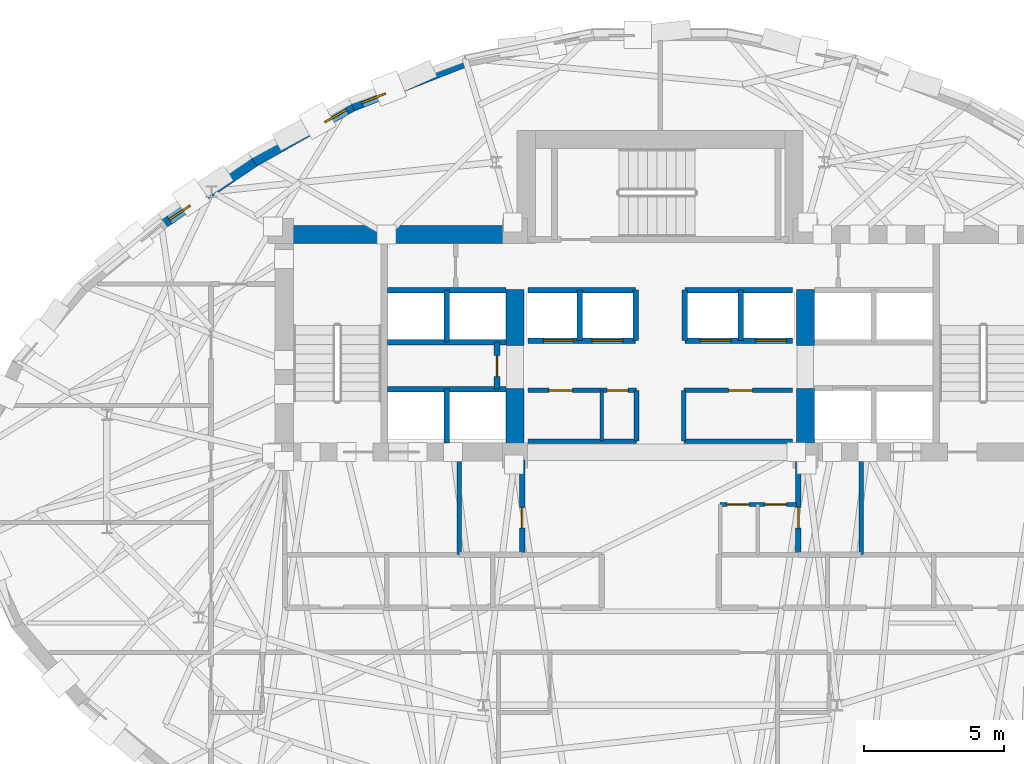
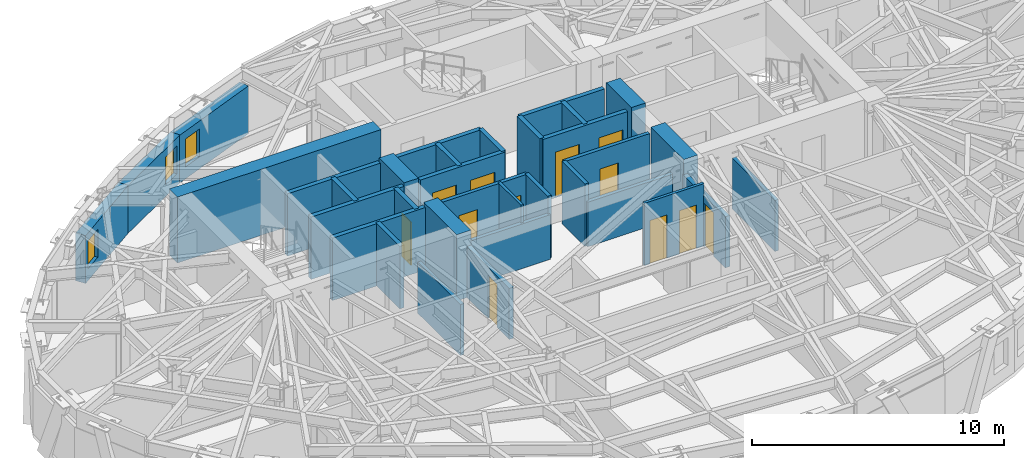
# One storey, part 7 of 14: 34 walls, 12 doors, 3 windows, 15 openings.
"""IFC4 building model written with IfcOpenShell, lengths in metres."""

import ifcopenshell
import ifcopenshell.guid

model = None  # the IFC model being written
_history = None  # IfcOwnerHistory: only IFC2X3 demands one
_inside = {}  # id of a spatial element -> (the spatial element, [elements in it])
_under = {}  # id of a project, library or spatial element -> (it, [spatial elements below it])
_declared = {}  # id of a project -> (the project, [libraries it declares])
_typed = {}  # id of a type object -> (the type object, [elements of that type])
_made_of = {}  # id of a material, layer set ... -> (it, [elements and type objects made of it])


def new_model(schema):
    """Start an empty IFC model of exactly this schema.

    Asked for "IFC4X3", IfcOpenShell would pick the latest addendum, in which some entities
    have other attributes; the version numbers below select the first issue.
    IFC2X3 requires an IfcOwnerHistory on every rooted entity: one is made here for all.
    """
    global model, _history
    if schema == "IFC4X3":
        model = ifcopenshell.file(schema_version=(4, 3, 0, 0))
    else:
        model = ifcopenshell.file(schema=schema)
    _inside.clear()
    _under.clear()
    _declared.clear()
    _typed.clear()
    _made_of.clear()
    _history = None
    if model.schema == "IFC2X3":
        org = make("IfcOrganization", Name="unknown")
        user = make(
            "IfcPersonAndOrganization",
            ThePerson=make("IfcPerson", FamilyName="unknown"),
            TheOrganization=org,
        )
        app = make(
            "IfcApplication",
            ApplicationDeveloper=org,
            Version="unknown",
            ApplicationFullName="unknown",
            ApplicationIdentifier="unknown",
        )
        _history = make(
            "IfcOwnerHistory",
            OwningUser=user,
            OwningApplication=app,
            ChangeAction="ADDED",
            CreationDate=0,
        )
    return model


def make(cls, **values):
    """One entity of the class cls with the attributes given. An attribute that is None is left unset."""
    return model.create_entity(
        cls, **{name: value for name, value in values.items() if value is not None}
    )


def rooted(cls, **values):
    """An entity with a GlobalId (a new one), such as an element, a storey or a relation."""
    return make(cls, GlobalId=ifcopenshell.guid.new(), OwnerHistory=_history, **values)


def si_unit(unit_type, name, prefix=None):
    """IfcSIUnit, for example si_unit("LENGTHUNIT", "METRE", prefix="MILLI")."""
    return make("IfcSIUnit", UnitType=unit_type, Prefix=prefix, Name=name)


def assignment(units):
    """IfcUnitAssignment: the units of a project."""
    return None if units is None else make("IfcUnitAssignment", Units=units)


def point(xyz):
    """IfcCartesianPoint."""
    return None if xyz is None else make("IfcCartesianPoint", Coordinates=xyz)


def direction(xyz):
    """IfcDirection."""
    return None if xyz is None else make("IfcDirection", DirectionRatios=xyz)


def frame(location, z_axis=None, x_axis=None):
    """IfcAxis2Placement3D, a coordinate frame: its origin and axes. An axis left out is left unset."""
    return make(
        "IfcAxis2Placement3D",
        Location=point(location),
        Axis=direction(z_axis),
        RefDirection=direction(x_axis),
    )


def frame_2d(location, x_axis=None):
    """IfcAxis2Placement2D, a coordinate frame in the plane: its origin and x axis."""
    return make(
        "IfcAxis2Placement2D", Location=point(location), RefDirection=direction(x_axis)
    )


def origin():
    """The frame at (0, 0, 0) with its axes left unset."""
    return frame((0.0, 0.0, 0.0))


def place(relative_to, where):
    """IfcLocalPlacement: puts the frame where relative to a parent placement (None: the world)."""
    return make(
        "IfcLocalPlacement", PlacementRelTo=relative_to, RelativePlacement=where
    )


def context(
    kind, dimensions, precision=None, world=None, true_north=None, identifier=None
):
    """IfcGeometricRepresentationContext, for example the 3D "Model" context."""
    return make(
        "IfcGeometricRepresentationContext",
        ContextIdentifier=identifier,
        ContextType=kind,
        CoordinateSpaceDimension=dimensions,
        Precision=precision,
        WorldCoordinateSystem=world,
        TrueNorth=true_north,
    )


def subcontext(parent, identifier, kind, view, scale=None):
    """IfcGeometricRepresentationSubContext, for example "Body" below "Model"."""
    return make(
        "IfcGeometricRepresentationSubContext",
        ContextIdentifier=identifier,
        ContextType=kind,
        ParentContext=parent,
        TargetScale=scale,
        TargetView=view,
    )


def project(units=None, contexts=None):
    """IfcProject with its units and contexts."""
    return rooted(
        "IfcProject",
        Name="project",
        RepresentationContexts=contexts,
        UnitsInContext=assignment(units),
    )


def spatial(cls, under=None, at=None, **own):
    """A site, building, storey or space (cls), placed at a placement, below another one or the project."""
    s = rooted(cls, ObjectPlacement=at, **own)
    if under is not None:
        _under.setdefault(under.id(), (under, []))[1].append(s)
    return s


def profile(cls, at=None, kind="AREA", **sizes):
    """A parametric profile (cls). Its sizes go by their IFC names, for example OverallWidth=200.0."""
    return make(cls, ProfileType=kind, Position=at, **sizes)


def rectangle(**sizes):
    """IfcRectangleProfileDef."""
    return profile("IfcRectangleProfileDef", **sizes)


def extrude(swept, where, along, depth):
    """IfcExtrudedAreaSolid: the profile swept, set in the frame where, extruded along a direction by depth."""
    return make(
        "IfcExtrudedAreaSolid",
        SweptArea=swept,
        Position=where,
        ExtrudedDirection=direction(along),
        Depth=depth,
    )


def shape(context_of_items, identifier, shape_type, items):
    """IfcShapeRepresentation: the items that make up one representation, for example the "Body"."""
    return make(
        "IfcShapeRepresentation",
        ContextOfItems=context_of_items,
        RepresentationIdentifier=identifier,
        RepresentationType=shape_type,
        Items=items,
    )


def material(Name=None, Category=None):
    """IfcMaterial."""
    return make("IfcMaterial", Name=Name, Category=Category)


def layer(
    of_material, thickness, ventilated=None, Name=None, Category=None, Priority=None
):
    """IfcMaterialLayer: one layer of a wall or slab, of a material (None: an air gap)."""
    return make(
        "IfcMaterialLayer",
        Material=of_material,
        LayerThickness=thickness,
        IsVentilated=ventilated,
        Name=Name,
        Category=Category,
        Priority=Priority,
    )


def layer_set(layers, Name=None):
    """IfcMaterialLayerSet."""
    return make("IfcMaterialLayerSet", MaterialLayers=layers, LayerSetName=Name)


def made_of(thing, what):
    """Note that an element or type object is made of a material, layer set ...; save() writes the relation."""
    if what is not None:
        _made_of.setdefault(what.id(), (what, []))[1].append(thing)
    return thing


def type_object(cls, material=None, **own):
    """A type object (cls), such as IfcWallType, which elements share."""
    return made_of(rooted(cls, **own), material)


def element(
    cls,
    number,
    at=None,
    inside=None,
    cuts=None,
    type_object=None,
    material=None,
    context=None,
    identifier="Body",
    shape_type=None,
    held_by="IfcProductDefinitionShape",
    body=None,
    shapes=None,
    **own,
):
    """One element of the class cls, such as IfcWall. Its Tag is "e" and its number.

    at: its placement. inside: the storey or other place that contains it. cuts: it is an
    opening in that element (IfcRelVoidsElement). A single representation is given by context,
    identifier, shape_type and body (its items); several are given by shapes. held_by: the class
    of the entity that holds the representations. save() writes the other relations.
    """
    e = rooted(cls, Tag="e%d" % number, ObjectPlacement=at, **own)
    if body is not None:
        shapes = [shape(context, identifier, shape_type, body)]
    if shapes is not None:
        e.Representation = make(held_by, Representations=shapes)
    if inside is not None:
        _inside.setdefault(inside.id(), (inside, []))[1].append(e)
    if cuts is not None:
        rooted(
            "IfcRelVoidsElement", RelatingBuildingElement=cuts, RelatedOpeningElement=e
        )
    if type_object is not None:
        _typed.setdefault(type_object.id(), (type_object, []))[1].append(e)
    return made_of(e, material)


def fill(opening, filler):
    """IfcRelFillsElement: the door or window that sits in an opening."""
    return rooted(
        "IfcRelFillsElement",
        RelatingOpeningElement=opening,
        RelatedBuildingElement=filler,
    )


def aggregate(whole, parts):
    """IfcRelAggregates: a whole, such as a stair, and the parts it consists of."""
    return rooted("IfcRelAggregates", RelatingObject=whole, RelatedObjects=parts)


def save(model, path):
    """Write the relations noted so far, then the file.

    IfcRelAggregates (storeys below a building ...), IfcRelContainedInSpatialStructure (elements
    in a storey), IfcRelDefinesByType, IfcRelAssociatesMaterial and IfcRelDeclares: one each for
    every whole, place, type object, material and project.
    """
    for whole, parts in _under.values():
        aggregate(whole, parts)
    for where, things in _inside.values():
        rooted(
            "IfcRelContainedInSpatialStructure",
            RelatedElements=things,
            RelatingStructure=where,
        )
    for kind, things in _typed.values():
        rooted("IfcRelDefinesByType", RelatedObjects=things, RelatingType=kind)
    for what, things in _made_of.values():
        rooted("IfcRelAssociatesMaterial", RelatedObjects=things, RelatingMaterial=what)
    for by, libraries in _declared.values():
        rooted("IfcRelDeclares", RelatingContext=by, RelatedDefinitions=libraries)
    model.write(path)


model = new_model("IFC4")

# Units and contexts
model_context = context("Model", 3, precision=1e-05, world=origin(), true_north=direction((0.0, 1.0)))
body_context = subcontext(model_context, "Body", "Model", "MODEL_VIEW")
ifc_project = project(units=[si_unit("LENGTHUNIT", "METRE"), si_unit("AREAUNIT", "SQUARE_METRE"), si_unit("VOLUMEUNIT", "CUBIC_METRE"), si_unit("PLANEANGLEUNIT", "RADIAN"), si_unit("MASSUNIT", "GRAM", prefix="KILO")], contexts=[model_context])

# Site, building, storey
site_placement = place(None, origin())
site = spatial("IfcSite", under=ifc_project, at=site_placement, CompositionType="ELEMENT")
building_placement = place(site_placement, origin())
building = spatial("IfcBuilding", under=site, at=building_placement, Name="Keldmark Tower", CompositionType="ELEMENT")
storey_placement = place(building_placement, frame((0.0, 0.0, 188.60009765625)))
storey = spatial("IfcBuildingStorey", under=building, at=storey_placement, Name="L52", CompositionType="ELEMENT", Elevation=188.60009765625)

# Wall, openings, doors
ifc_material_1 = material(Name="Acoustic Gypsum Board Interior Partition", Category="gypsum")
ifc_layer_1 = layer(ifc_material_1, 0.1298828125)
ifc_layer_set_1 = layer_set([ifc_layer_1], Name="Acoustic Gypsum Board Interior Partition")
wall_type_1 = type_object("IfcWallType", Name="Interior Partition 130 mm", PredefinedType="PARTITIONING", material=ifc_layer_set_1)
wall_1_placement = place(storey_placement, frame((2.14990234375, -0.35009765625, 0.0), z_axis=(0.0, 0.0, 1.0), x_axis=(1.0, 0.0, 0.0)))
wall_1 = element("IfcWall", 1, at=wall_1_placement, inside=storey, type_object=wall_type_1, Name="L52 Interior Partition 130 mm CSC-E-N", PredefinedType="PARTITIONING", context=body_context, shape_type="SweptSolid", body=[
    extrude(rectangle(XDim=2.72998046875, YDim=0.1298828125, at=frame_2d((1.364990234375, 0.0))), origin(), (0.0, 0.0, 1.0), 3.02001953125),
])
opening_1_placement = place(wall_1_placement, frame((0.25, 0.0, 0.0)))
opening_1 = element("IfcOpeningElement", 2, at=opening_1_placement, cuts=wall_1, Name="Opening D-CL078", PredefinedType="OPENING", context=body_context, shape_type="SweptSolid", body=[
    extrude(rectangle(XDim=0.780029296875, YDim=2.10009765625, at=frame_2d((0.39013671875, 1.050048828125))), frame((0.0, 0.074951171875, 0.0), z_axis=(0.0, -1.0, 0.0), x_axis=(1.0, 0.0, 0.0)), (0.0, 0.0, 1.0), 0.14990234375),
])
opening_2_placement = place(wall_1_placement, frame((1.60009765625, 0.0, 0.0)))
opening_2 = element("IfcOpeningElement", 3, at=opening_2_placement, cuts=wall_1, Name="Opening D-CL078", PredefinedType="OPENING", context=body_context, shape_type="SweptSolid", body=[
    extrude(rectangle(XDim=0.780029296875, YDim=2.10009765625, at=frame_2d((0.39013671875, 1.050048828125))), frame((0.0, 0.074951171875, 0.0), z_axis=(0.0, -1.0, 0.0), x_axis=(1.0, 0.0, 0.0)), (0.0, 0.0, 1.0), 0.14990234375),
])
ifc_material_2 = material(Name="Flush Utility Closet Timber Door", Category="wood")
door_type_1 = type_object("IfcDoorType", Name="Closet Door 780x2100", OperationType="NOTDEFINED", PredefinedType="DOOR", material=ifc_material_2)
door_1_placement = place(opening_1_placement, origin())
door_1 = element("IfcDoor", 4, at=door_1_placement, inside=storey, type_object=door_type_1, Name="L52 Closet Door 780x2100 D-CSCE1-L52", OperationType="SINGLE_SWING_RIGHT", OverallHeight=2.10009765625, OverallWidth=0.780029296875, PredefinedType="DOOR", context=body_context, shape_type="SweptSolid", body=[
    extrude(rectangle(XDim=0.780029296875, YDim=2.10009765625, at=frame_2d((0.39013671875, 1.050048828125))), frame((0.0, 0.02490234375, 0.0), z_axis=(0.0, -1.0, 0.0), x_axis=(1.0, 0.0, 0.0)), (0.0, 0.0, 1.0), 0.050048828125),
])
fill(opening_1, door_1)
door_2_placement = place(opening_2_placement, origin())
door_2 = element("IfcDoor", 5, at=door_2_placement, inside=storey, type_object=door_type_1, Name="L52 Closet Door 780x2100 D-CSCE2-L52", OperationType="SINGLE_SWING_RIGHT", OverallHeight=2.10009765625, OverallWidth=0.780029296875, PredefinedType="DOOR", context=body_context, shape_type="SweptSolid", body=[
    extrude(rectangle(XDim=0.780029296875, YDim=2.10009765625, at=frame_2d((0.39013671875, 1.050048828125))), frame((0.0, 0.02490234375, 0.0), z_axis=(0.0, -1.0, 0.0), x_axis=(1.0, 0.0, 0.0)), (0.0, 0.0, 1.0), 0.050048828125),
])
fill(opening_2, door_2)

# Walls
wall_2_placement = place(storey_placement, frame((-2.10009765625, 1.919921875, 0.0), z_axis=(0.0, 0.0, 1.0), x_axis=(0.0, 1.0, 0.0)))
element("IfcWall", 6, at=wall_2_placement, inside=storey, type_object=wall_type_1, Name="L52 Interior Partition 130 mm REC-LW-M", PredefinedType="PARTITIONING", context=body_context, shape_type="SweptSolid", body=[
    extrude(rectangle(XDim=1.820068359375, YDim=0.1298828125, at=frame_2d((0.91015625, 0.0))), origin(), (0.0, 0.0, 1.0), 3.02001953125),
])
ifc_material_3 = material(Name="Type X Fire-Rated Gypsum Partition Assembly", Category="gypsum")
ifc_layer_2 = layer(ifc_material_3, 0.1650390625)
ifc_layer_set_2 = layer_set([ifc_layer_2], Name="Type X Fire-Rated Gypsum Partition Assembly")
wall_type_2 = type_object("IfcWallType", Name="Rated Partition 165 mm", PredefinedType="PARTITIONING", material=ifc_layer_set_2)
for number, where, z_axis, x_axis, name in (
    (7, (-7.199951171875, -2.14990234375, 0.0), (0.0, 0.0, 1.0), (0.0, 1.0, 0.0), "L52 Rated Partition 165 mm FSAE-W-E"),
    (8, (7.199951171875, -2.14990234375, 0.0), (0.0, 0.0, 1.0), (0.0, 1.0, 0.0), "L52 Rated Partition 165 mm FSAE-E-W"),
):
    element("IfcWall", number, at=place(storey_placement, frame(where, z_axis=z_axis, x_axis=x_axis)), inside=storey, type_object=wall_type_2, Name=name, PredefinedType="PARTITIONING", context=body_context, shape_type="SweptSolid", body=[
        extrude(rectangle(XDim=3.39990234375, YDim=0.1650390625, at=frame_2d((1.699951171875, 0.0))), origin(), (0.0, 0.0, 1.0), 2.472900390625),
    ])
wall_3_placement = place(storey_placement, frame((-4.739990234375, 1.919921875, 0.0), z_axis=(0.0, 0.0, 1.0), x_axis=(1.0, 0.0, 0.0)))
element("IfcWall", 9, at=wall_3_placement, inside=storey, type_object=wall_type_2, Name="L52 Rated Partition 165 mm REC-LW-S", PredefinedType="PARTITIONING", context=body_context, shape_type="SweptSolid", body=[
    extrude(rectangle(XDim=3.889892578125, YDim=0.1650390625, at=frame_2d((1.94482421875, 0.0))), origin(), (0.0, 0.0, 1.0), 2.159912109375),
])

# Wall, openings, doors
wall_4_placement = place(storey_placement, frame((-4.739990234375, 3.739990234375, 0.0), z_axis=(0.0, 0.0, 1.0), x_axis=(1.0, 0.0, 0.0)))
wall_4 = element("IfcWall", 10, at=wall_4_placement, inside=storey, type_object=wall_type_2, Name="L52 Rated Partition 165 mm REC-LW-N", PredefinedType="PARTITIONING", context=body_context, shape_type="SweptSolid", body=[
    extrude(rectangle(XDim=3.889892578125, YDim=0.1650390625, at=frame_2d((1.94482421875, 0.0))), origin(), (0.0, 0.0, 1.0), 3.02001953125),
])
opening_3_placement = place(wall_4_placement, frame((0.75, 0.0, 0.0)))
opening_3 = element("IfcOpeningElement", 11, at=opening_3_placement, cuts=wall_4, Name="Opening D-SV085", PredefinedType="OPENING", context=body_context, shape_type="SweptSolid", body=[
    extrude(rectangle(XDim=0.85009765625, YDim=2.10009765625, at=frame_2d((0.425048828125, 1.050048828125))), frame((0.0, 0.092529296875, 0.0), z_axis=(0.0, -1.0, 0.0), x_axis=(1.0, 0.0, 0.0)), (0.0, 0.0, 1.0), 0.18505859375),
])
opening_4_placement = place(wall_4_placement, frame((2.840087890625, 0.0, 0.0)))
opening_4 = element("IfcOpeningElement", 12, at=opening_4_placement, cuts=wall_4, Name="Opening D-RS075", PredefinedType="OPENING", context=body_context, shape_type="SweptSolid", body=[
    extrude(rectangle(XDim=0.75, YDim=2.10009765625, at=frame_2d((0.375, 1.050048828125))), frame((0.0, 0.092529296875, 0.0), z_axis=(0.0, -1.0, 0.0), x_axis=(1.0, 0.0, 0.0)), (0.0, 0.0, 1.0), 0.18505859375),
])
ifc_material_4 = material(Name="Galvanized Fire-Rated Access Leaf", Category="metal")
door_type_2 = type_object("IfcDoorType", Name="Riser Access Door 750x2100", OperationType="NOTDEFINED", PredefinedType="DOOR", material=ifc_material_4)
door_3_placement = place(opening_4_placement, origin())
door_3 = element("IfcDoor", 13, at=door_3_placement, inside=storey, type_object=door_type_2, Name="L52 Riser Access Door 750x2100 D-RECLW2-L52", OperationType="SINGLE_SWING_RIGHT", OverallHeight=2.10009765625, OverallWidth=0.75, PredefinedType="DOOR", context=body_context, shape_type="SweptSolid", body=[
    extrude(rectangle(XDim=0.75, YDim=2.10009765625, at=frame_2d((0.375, 1.050048828125))), frame((0.0, 0.02490234375, 0.0), z_axis=(0.0, -1.0, 0.0), x_axis=(1.0, 0.0, 0.0)), (0.0, 0.0, 1.0), 0.050048828125),
])
fill(opening_4, door_3)
ifc_material_5 = material(Name="Painted Hollow Metal Door Assembly", Category="metal")
door_type_3 = type_object("IfcDoorType", Name="Service Door 850x2100", OperationType="NOTDEFINED", PredefinedType="DOOR", material=ifc_material_5)
door_4_placement = place(opening_3_placement, origin())
door_4 = element("IfcDoor", 14, at=door_4_placement, inside=storey, type_object=door_type_3, Name="L52 Service Door 850x2100 D-RECLW1-L52", OperationType="SINGLE_SWING_LEFT", OverallHeight=2.10009765625, OverallWidth=0.85009765625, PredefinedType="DOOR", context=body_context, shape_type="SweptSolid", body=[
    extrude(rectangle(XDim=0.85009765625, YDim=2.10009765625, at=frame_2d((0.425048828125, 1.050048828125))), frame((0.0, 0.02490234375, 0.0), z_axis=(0.0, -1.0, 0.0), x_axis=(1.0, 0.0, 0.0)), (0.0, 0.0, 1.0), 0.050048828125),
])
fill(opening_3, door_4)

# Walls
wall_5_placement = place(storey_placement, frame((-0.85009765625, 1.919921875, 0.0), z_axis=(0.0, 0.0, 1.0), x_axis=(0.0, 1.0, 0.0)))
element("IfcWall", 15, at=wall_5_placement, inside=storey, type_object=wall_type_2, Name="L52 Rated Partition 165 mm REC-LW-E", PredefinedType="PARTITIONING", context=body_context, shape_type="SweptSolid", body=[
    extrude(rectangle(XDim=1.820068359375, YDim=0.1650390625, at=frame_2d((0.91015625, 0.0))), origin(), (0.0, 0.0, 1.0), 3.02001953125),
])
wall_6_placement = place(storey_placement, frame((0.85009765625, 1.919921875, 0.0), z_axis=(0.0, 0.0, 1.0), x_axis=(1.0, 0.0, 0.0)))
element("IfcWall", 16, at=wall_6_placement, inside=storey, type_object=wall_type_2, Name="L52 Rated Partition 165 mm REC-LE-S", PredefinedType="PARTITIONING", context=body_context, shape_type="SweptSolid", body=[
    extrude(rectangle(XDim=3.889892578125, YDim=0.1650390625, at=frame_2d((1.94482421875, 0.0))), origin(), (0.0, 0.0, 1.0), 2.159912109375),
])

# Wall, opening, door
wall_7_placement = place(storey_placement, frame((0.85009765625, 3.739990234375, 0.0), z_axis=(0.0, 0.0, 1.0), x_axis=(1.0, 0.0, 0.0)))
wall_7 = element("IfcWall", 17, at=wall_7_placement, inside=storey, type_object=wall_type_2, Name="L52 Rated Partition 165 mm REC-LE-N", PredefinedType="PARTITIONING", context=body_context, shape_type="SweptSolid", body=[
    extrude(rectangle(XDim=3.889892578125, YDim=0.1650390625, at=frame_2d((1.94482421875, 0.0))), origin(), (0.0, 0.0, 1.0), 3.02001953125),
])
opening_5_placement = place(wall_7_placement, frame((1.60009765625, 0.0, 0.0)))
opening_5 = element("IfcOpeningElement", 18, at=opening_5_placement, cuts=wall_7, Name="Opening D-SV085", PredefinedType="OPENING", context=body_context, shape_type="SweptSolid", body=[
    extrude(rectangle(XDim=0.85009765625, YDim=2.10009765625, at=frame_2d((0.425048828125, 1.050048828125))), frame((0.0, 0.092529296875, 0.0), z_axis=(0.0, -1.0, 0.0), x_axis=(1.0, 0.0, 0.0)), (0.0, 0.0, 1.0), 0.18505859375),
])
door_5_placement = place(opening_5_placement, origin())
door_5 = element("IfcDoor", 19, at=door_5_placement, inside=storey, type_object=door_type_3, Name="L52 Service Door 850x2100 D-RECLE1-L52", OperationType="SINGLE_SWING_LEFT", OverallHeight=2.10009765625, OverallWidth=0.85009765625, PredefinedType="DOOR", context=body_context, shape_type="SweptSolid", body=[
    extrude(rectangle(XDim=0.85009765625, YDim=2.10009765625, at=frame_2d((0.425048828125, 1.050048828125))), frame((0.0, 0.02490234375, 0.0), z_axis=(0.0, -1.0, 0.0), x_axis=(1.0, 0.0, 0.0)), (0.0, 0.0, 1.0), 0.050048828125),
])
fill(opening_5, door_5)

# Wall
wall_8_placement = place(storey_placement, frame((0.85009765625, 1.919921875, 0.0), z_axis=(0.0, 0.0, 1.0), x_axis=(0.0, 1.0, 0.0)))
element("IfcWall", 20, at=wall_8_placement, inside=storey, type_object=wall_type_2, Name="L52 Rated Partition 165 mm REC-LE-W", PredefinedType="PARTITIONING", context=body_context, shape_type="SweptSolid", body=[
    extrude(rectangle(XDim=1.820068359375, YDim=0.1650390625, at=frame_2d((0.91015625, 0.0))), origin(), (0.0, 0.0, 1.0), 3.02001953125),
])

# Wall, opening, door
ifc_material_6 = material(Name="Fire-Resistant Type X Gypsum Shaftliner Coreboard", Category="gypsum")
ifc_layer_3 = layer(ifc_material_6, 0.199951171875)
ifc_layer_set_3 = layer_set([ifc_layer_3], Name="Fire-Resistant Type X Gypsum Shaftliner Coreboard")
wall_type_3 = type_object("IfcWallType", Name="Shaft Wall 200 mm", PredefinedType="SOLIDWALL", material=ifc_layer_set_3)
wall_9_placement = place(storey_placement, frame((-4.949951171875, -2.14990234375, 0.0), z_axis=(0.0, 0.0, 1.0), x_axis=(0.0, 1.0, 0.0)))
wall_9 = element("IfcWall", 21, at=wall_9_placement, inside=storey, type_object=wall_type_3, Name="L52 Shaft Wall 200 mm RIS-SW-E", PredefinedType="SOLIDWALL", context=body_context, shape_type="SweptSolid", body=[
    extrude(rectangle(XDim=3.39990234375, YDim=0.199951171875, at=frame_2d((1.699951171875, 0.0))), origin(), (0.0, 0.0, 1.0), 2.472900390625),
])
opening_6_placement = place(wall_9_placement, frame((0.949951171875, 0.0, 0.0)))
opening_6 = element("IfcOpeningElement", 22, at=opening_6_placement, cuts=wall_9, Name="Opening D-RS075", PredefinedType="OPENING", context=body_context, shape_type="SweptSolid", body=[
    extrude(rectangle(XDim=0.75, YDim=2.10009765625, at=frame_2d((0.375, 1.050048828125))), frame((0.0, 0.10986328125, 0.0), z_axis=(0.0, -1.0, 0.0), x_axis=(1.0, 0.0, 0.0)), (0.0, 0.0, 1.0), 0.219970703125),
])
door_6_placement = place(opening_6_placement, origin())
door_6 = element("IfcDoor", 23, at=door_6_placement, inside=storey, type_object=door_type_2, Name="L52 Riser Access Door 750x2100 D-RISSW-L52", OperationType="SINGLE_SWING_RIGHT", OverallHeight=2.10009765625, OverallWidth=0.75, PredefinedType="DOOR", context=body_context, shape_type="SweptSolid", body=[
    extrude(rectangle(XDim=0.75, YDim=2.10009765625, at=frame_2d((0.375, 1.050048828125))), frame((0.0, 0.02490234375, 0.0), z_axis=(0.0, -1.0, 0.0), x_axis=(1.0, 0.0, 0.0)), (0.0, 0.0, 1.0), 0.050048828125),
])
fill(opening_6, door_6)

wall_10_placement = place(storey_placement, frame((4.949951171875, -2.14990234375, 0.0), z_axis=(0.0, 0.0, 1.0), x_axis=(0.0, 1.0, 0.0)))
wall_10 = element("IfcWall", 24, at=wall_10_placement, inside=storey, type_object=wall_type_3, Name="L52 Shaft Wall 200 mm RIS-SE-W", PredefinedType="SOLIDWALL", context=body_context, shape_type="SweptSolid", body=[
    extrude(rectangle(XDim=3.39990234375, YDim=0.199951171875, at=frame_2d((1.699951171875, 0.0))), origin(), (0.0, 0.0, 1.0), 2.472900390625),
])
opening_7_placement = place(wall_10_placement, frame((0.949951171875, 0.0, 0.0)))
opening_7 = element("IfcOpeningElement", 25, at=opening_7_placement, cuts=wall_10, Name="Opening D-RS075", PredefinedType="OPENING", context=body_context, shape_type="SweptSolid", body=[
    extrude(rectangle(XDim=0.75, YDim=2.10009765625, at=frame_2d((0.375, 1.050048828125))), frame((0.0, 0.10986328125, 0.0), z_axis=(0.0, -1.0, 0.0), x_axis=(1.0, 0.0, 0.0)), (0.0, 0.0, 1.0), 0.219970703125),
])
door_7_placement = place(opening_7_placement, origin())
door_7 = element("IfcDoor", 26, at=door_7_placement, inside=storey, type_object=door_type_2, Name="L52 Riser Access Door 750x2100 D-RISSE-L52", OperationType="SINGLE_SWING_LEFT", OverallHeight=2.10009765625, OverallWidth=0.75, PredefinedType="DOOR", context=body_context, shape_type="SweptSolid", body=[
    extrude(rectangle(XDim=0.75, YDim=2.10009765625, at=frame_2d((0.375, 1.050048828125))), frame((0.0, 0.02490234375, 0.0), z_axis=(0.0, -1.0, 0.0), x_axis=(1.0, 0.0, 0.0)), (0.0, 0.0, 1.0), 0.050048828125),
])
fill(opening_7, door_7)

# Walls
wall_11_placement = place(storey_placement, frame((-9.780029296875, 3.780029296875, 0.0), z_axis=(0.0, 0.0, 1.0), x_axis=(1.0, 0.0, 0.0)))
element("IfcWall", 27, at=wall_11_placement, inside=storey, type_object=wall_type_3, Name="L52 Shaft Wall 200 mm HW-W-S", PredefinedType="SOLIDWALL", context=body_context, shape_type="SweptSolid", body=[
    extrude(rectangle(XDim=4.255126953125, YDim=0.199951171875, at=frame_2d((2.12744140625, 0.0))), origin(), (0.0, 0.0, 1.0), 3.02001953125),
])
wall_12_placement = place(storey_placement, frame((-7.64990234375, 1.85009765625, 0.0), z_axis=(0.0, 0.0, 1.0), x_axis=(0.0, 1.0, 0.0)))
element("IfcWall", 28, at=wall_12_placement, inside=storey, type_object=wall_type_3, Name="L52 Shaft Wall 200 mm HW-W-M", PredefinedType="SOLIDWALL", context=body_context, shape_type="SweptSolid", body=[
    extrude(rectangle(XDim=1.929931640625, YDim=0.199951171875, at=frame_2d((0.96484375, 0.0))), origin(), (0.0, 0.0, 1.0), 3.02001953125),
])
for number, where, z_axis, x_axis, name in (
    (29, (-9.780029296875, 5.469970703125, 0.0), (0.0, 0.0, 1.0), (1.0, 0.0, 0.0), "L52 Shaft Wall 200 mm HW-W-N"),
    (30, (-9.780029296875, 7.330078125, 0.0), (0.0, 0.0, 1.0), (1.0, 0.0, 0.0), "L52 Shaft Wall 200 mm HW-W-TOP"),
):
    element("IfcWall", number, at=place(storey_placement, frame(where, z_axis=z_axis, x_axis=x_axis)), inside=storey, type_object=wall_type_3, Name=name, PredefinedType="SOLIDWALL", context=body_context, shape_type="SweptSolid", body=[
        extrude(rectangle(XDim=4.255126953125, YDim=0.199951171875, at=frame_2d((2.12744140625, 0.0))), origin(), (0.0, 0.0, 1.0), 3.02001953125),
    ])
wall_13_placement = place(storey_placement, frame((-7.64990234375, 5.469970703125, 0.0), z_axis=(0.0, 0.0, 1.0), x_axis=(0.0, 1.0, 0.0)))
element("IfcWall", 31, at=wall_13_placement, inside=storey, type_object=wall_type_3, Name="L52 Shaft Wall 200 mm HW-W-NM", PredefinedType="SOLIDWALL", context=body_context, shape_type="SweptSolid", body=[
    extrude(rectangle(XDim=1.860107421875, YDim=0.199951171875, at=frame_2d((0.93017578125, 0.0))), origin(), (0.0, 0.0, 1.0), 3.02001953125),
])

# Wall, opening, door
wall_14_placement = place(storey_placement, frame((-5.85009765625, 3.780029296875, 0.0), z_axis=(0.0, 0.0, 1.0), x_axis=(0.0, 1.0, 0.0)))
wall_14 = element("IfcWall", 32, at=wall_14_placement, inside=storey, type_object=wall_type_3, Name="L52 Shaft Wall 200 mm HW-W-CLOSE", PredefinedType="SOLIDWALL", context=body_context, shape_type="SweptSolid", body=[
    extrude(rectangle(XDim=1.68994140625, YDim=0.199951171875, at=frame_2d((0.844970703125, 0.0))), origin(), (0.0, 0.0, 1.0), 3.02001953125),
])
opening_8_placement = place(wall_14_placement, frame((0.449951171875, 0.0, 0.0)))
opening_8 = element("IfcOpeningElement", 33, at=opening_8_placement, cuts=wall_14, Name="Opening D-RS075", PredefinedType="OPENING", context=body_context, shape_type="SweptSolid", body=[
    extrude(rectangle(XDim=0.75, YDim=2.10009765625, at=frame_2d((0.375, 1.050048828125))), frame((0.0, 0.10986328125, 0.0), z_axis=(0.0, -1.0, 0.0), x_axis=(1.0, 0.0, 0.0)), (0.0, 0.0, 1.0), 0.219970703125),
])
door_8_placement = place(opening_8_placement, origin())
door_8 = element("IfcDoor", 34, at=door_8_placement, inside=storey, type_object=door_type_2, Name="L52 Riser Access Door 750x2100 D-RISHW-L52", OperationType="SINGLE_SWING_RIGHT", OverallHeight=2.10009765625, OverallWidth=0.75, PredefinedType="DOOR", context=body_context, shape_type="SweptSolid", body=[
    extrude(rectangle(XDim=0.75, YDim=2.10009765625, at=frame_2d((0.375, 1.050048828125))), frame((0.0, 0.02490234375, 0.0), z_axis=(0.0, -1.0, 0.0), x_axis=(1.0, 0.0, 0.0)), (0.0, 0.0, 1.0), 0.050048828125),
])
fill(opening_8, door_8)

# Wall, openings, doors
wall_15_placement = place(storey_placement, frame((-4.739990234375, 5.52001953125, 0.0), z_axis=(0.0, 0.0, 1.0), x_axis=(1.0, 0.0, 0.0)))
wall_15 = element("IfcWall", 35, at=wall_15_placement, inside=storey, type_object=wall_type_3, Name="L52 Shaft Wall 200 mm MID-S-W", PredefinedType="SOLIDWALL", context=body_context, shape_type="SweptSolid", body=[
    extrude(rectangle(XDim=3.860107421875, YDim=0.199951171875, at=frame_2d((1.93017578125, 0.0))), origin(), (0.0, 0.0, 1.0), 3.02001953125),
])
opening_9_placement = place(wall_15_placement, frame((0.550048828125, 0.0, 0.0)))
opening_9 = element("IfcOpeningElement", 36, at=opening_9_placement, cuts=wall_15, Name="Opening LD-110", PredefinedType="OPENING", context=body_context, shape_type="SweptSolid", body=[
    extrude(rectangle(XDim=1.10009765625, YDim=2.199951171875, at=frame_2d((0.550048828125, 1.10009765625))), frame((0.0, 0.10986328125, 0.0), z_axis=(0.0, -1.0, 0.0), x_axis=(1.0, 0.0, 0.0)), (0.0, 0.0, 1.0), 0.219970703125),
])
opening_10_placement = place(wall_15_placement, frame((2.300048828125, 0.0, 0.0)))
opening_10 = element("IfcOpeningElement", 37, at=opening_10_placement, cuts=wall_15, Name="Opening LD-110", PredefinedType="OPENING", context=body_context, shape_type="SweptSolid", body=[
    extrude(rectangle(XDim=1.10009765625, YDim=2.199951171875, at=frame_2d((0.550048828125, 1.10009765625))), frame((0.0, 0.10986328125, 0.0), z_axis=(0.0, -1.0, 0.0), x_axis=(1.0, 0.0, 0.0)), (0.0, 0.0, 1.0), 0.219970703125),
])
ifc_material_7 = material(Name="Brushed Bronze Hoistway Sliding Leaf", Category="metal")
door_type_4 = type_object("IfcDoorType", Name="Lift Landing Sliding Door 1100x2200", OperationType="SLIDING_TO_LEFT", PredefinedType="DOOR", material=ifc_material_7)
door_9_placement = place(opening_9_placement, origin())
door_9 = element("IfcDoor", 38, at=door_9_placement, inside=storey, type_object=door_type_4, Name="L52 Lift Landing Sliding Door 1100x2200 LD-EL-M1-L52", OperationType="SLIDING_TO_LEFT", OverallHeight=2.199951171875, OverallWidth=1.10009765625, PredefinedType="DOOR", context=body_context, shape_type="SweptSolid", body=[
    extrude(rectangle(XDim=1.10009765625, YDim=2.199951171875, at=frame_2d((0.550048828125, 1.10009765625))), frame((0.0, 0.02490234375, 0.0), z_axis=(0.0, -1.0, 0.0), x_axis=(1.0, 0.0, 0.0)), (0.0, 0.0, 1.0), 0.050048828125),
])
fill(opening_9, door_9)
door_10_placement = place(opening_10_placement, origin())
door_10 = element("IfcDoor", 39, at=door_10_placement, inside=storey, type_object=door_type_4, Name="L52 Lift Landing Sliding Door 1100x2200 LD-EL-M2-L52", OperationType="SLIDING_TO_LEFT", OverallHeight=2.199951171875, OverallWidth=1.10009765625, PredefinedType="DOOR", context=body_context, shape_type="SweptSolid", body=[
    extrude(rectangle(XDim=1.10009765625, YDim=2.199951171875, at=frame_2d((0.550048828125, 1.10009765625))), frame((0.0, 0.02490234375, 0.0), z_axis=(0.0, -1.0, 0.0), x_axis=(1.0, 0.0, 0.0)), (0.0, 0.0, 1.0), 0.050048828125),
])
fill(opening_10, door_10)

wall_16_placement = place(storey_placement, frame((0.8798828125, 5.52001953125, 0.0), z_axis=(0.0, 0.0, 1.0), x_axis=(1.0, 0.0, 0.0)))
wall_16 = element("IfcWall", 40, at=wall_16_placement, inside=storey, type_object=wall_type_3, Name="L52 Shaft Wall 200 mm MID-S-E", PredefinedType="SOLIDWALL", context=body_context, shape_type="SweptSolid", body=[
    extrude(rectangle(XDim=3.860107421875, YDim=0.199951171875, at=frame_2d((1.93017578125, 0.0))), origin(), (0.0, 0.0, 1.0), 3.02001953125),
])
opening_11_placement = place(wall_16_placement, frame((0.550048828125, 0.0, 0.0)))
opening_11 = element("IfcOpeningElement", 41, at=opening_11_placement, cuts=wall_16, Name="Opening LD-110", PredefinedType="OPENING", context=body_context, shape_type="SweptSolid", body=[
    extrude(rectangle(XDim=1.10009765625, YDim=2.199951171875, at=frame_2d((0.550048828125, 1.10009765625))), frame((0.0, 0.10986328125, 0.0), z_axis=(0.0, -1.0, 0.0), x_axis=(1.0, 0.0, 0.0)), (0.0, 0.0, 1.0), 0.219970703125),
])
opening_12_placement = place(wall_16_placement, frame((2.550048828125, 0.0, 0.0)))
opening_12 = element("IfcOpeningElement", 42, at=opening_12_placement, cuts=wall_16, Name="Opening LD-110", PredefinedType="OPENING", context=body_context, shape_type="SweptSolid", body=[
    extrude(rectangle(XDim=1.10009765625, YDim=2.199951171875, at=frame_2d((0.550048828125, 1.10009765625))), frame((0.0, 0.10986328125, 0.0), z_axis=(0.0, -1.0, 0.0), x_axis=(1.0, 0.0, 0.0)), (0.0, 0.0, 1.0), 0.219970703125),
])
door_11_placement = place(opening_11_placement, origin())
door_11 = element("IfcDoor", 43, at=door_11_placement, inside=storey, type_object=door_type_4, Name="L52 Lift Landing Sliding Door 1100x2200 LD-EL-M3-L52", OperationType="SLIDING_TO_LEFT", OverallHeight=2.199951171875, OverallWidth=1.10009765625, PredefinedType="DOOR", context=body_context, shape_type="SweptSolid", body=[
    extrude(rectangle(XDim=1.10009765625, YDim=2.199951171875, at=frame_2d((0.550048828125, 1.10009765625))), frame((0.0, 0.02490234375, 0.0), z_axis=(0.0, -1.0, 0.0), x_axis=(1.0, 0.0, 0.0)), (0.0, 0.0, 1.0), 0.050048828125),
])
fill(opening_11, door_11)
door_12_placement = place(opening_12_placement, origin())
door_12 = element("IfcDoor", 44, at=door_12_placement, inside=storey, type_object=door_type_4, Name="L52 Lift Landing Sliding Door 1100x2200 LD-EL-M4-L52", OperationType="SLIDING_TO_LEFT", OverallHeight=2.199951171875, OverallWidth=1.10009765625, PredefinedType="DOOR", context=body_context, shape_type="SweptSolid", body=[
    extrude(rectangle(XDim=1.10009765625, YDim=2.199951171875, at=frame_2d((0.550048828125, 1.10009765625))), frame((0.0, 0.02490234375, 0.0), z_axis=(0.0, -1.0, 0.0), x_axis=(1.0, 0.0, 0.0)), (0.0, 0.0, 1.0), 0.050048828125),
])
fill(opening_12, door_12)

# Walls
for number, where, z_axis, x_axis, name in (
    (45, (-4.739990234375, 7.330078125, 0.0), (0.0, 0.0, 1.0), (1.0, 0.0, 0.0), "L52 Shaft Wall 200 mm MID-N-W"),
    (46, (0.8798828125, 7.330078125, 0.0), (0.0, 0.0, 1.0), (1.0, 0.0, 0.0), "L52 Shaft Wall 200 mm MID-N-E"),
):
    element("IfcWall", number, at=place(storey_placement, frame(where, z_axis=z_axis, x_axis=x_axis)), inside=storey, type_object=wall_type_3, Name=name, PredefinedType="SOLIDWALL", context=body_context, shape_type="SweptSolid", body=[
        extrude(rectangle(XDim=3.860107421875, YDim=0.199951171875, at=frame_2d((1.93017578125, 0.0))), origin(), (0.0, 0.0, 1.0), 3.02001953125),
    ])
for number, where, z_axis, x_axis, name in (
    (47, (-2.8798828125, 5.52001953125, 0.0), (0.0, 0.0, 1.0), (0.0, 1.0, 0.0), "L52 Shaft Wall 200 mm MID-M-W"),
    (48, (2.8798828125, 5.52001953125, 0.0), (0.0, 0.0, 1.0), (0.0, 1.0, 0.0), "L52 Shaft Wall 200 mm MID-M-E"),
    (49, (-0.8798828125, 5.52001953125, 0.0), (0.0, 0.0, 1.0), (0.0, 1.0, 0.0), "L52 Shaft Wall 200 mm MID-C-W"),
    (50, (0.8798828125, 5.52001953125, 0.0), (0.0, 0.0, 1.0), (0.0, 1.0, 0.0), "L52 Shaft Wall 200 mm MID-C-E"),
):
    element("IfcWall", number, at=place(storey_placement, frame(where, z_axis=z_axis, x_axis=x_axis)), inside=storey, type_object=wall_type_3, Name=name, PredefinedType="SOLIDWALL", context=body_context, shape_type="SweptSolid", body=[
        extrude(rectangle(XDim=1.81005859375, YDim=0.199951171875, at=frame_2d((0.905029296875, 0.0))), origin(), (0.0, 0.0, 1.0), 3.02001953125),
    ])

# Wall, opening, window
ifc_material_8 = material(Name="Ironspot Manganese Brick and Kasota Buff Limestone Spandrel Assembly", Category="masonry")
ifc_layer_4 = layer(ifc_material_8, 0.43994140625)
ifc_layer_set_4 = layer_set([ifc_layer_4], Name="Ironspot Manganese Brick and Kasota Buff Limestone Spandrel Assembly")
wall_type_4 = type_object("IfcWallType", Name="Tower Brick Pier and Spandrel Wall 440 mm", PredefinedType="STANDARD", material=ifc_layer_set_4)
wall_17_placement = place(storey_placement, frame((-11.071044921875, 13.93896484375, 0.0), z_axis=(0.0, 0.0, 1.0), x_axis=(0.930777752543, 0.365585524018, 0.0)))
wall_17 = element("IfcWall", 51, at=wall_17_placement, inside=storey, type_object=wall_type_4, Name="L52 Exterior Brick and Spandrel Wall 10", PredefinedType="STANDARD", context=body_context, shape_type="SweptSolid", body=[
    extrude(rectangle(XDim=4.40673828125, YDim=0.43994140625, at=frame_2d((2.203369140625, 0.0))), origin(), (0.0, 0.0, 1.0), 2.31494140625),
])
opening_13_placement = place(wall_17_placement, frame((0.397216796875, 0.0, 0.580078125)))
opening_13 = element("IfcOpeningElement", 52, at=opening_13_placement, cuts=wall_17, Name="Opening W-09", PredefinedType="OPENING", context=body_context, shape_type="SweptSolid", body=[
    extrude(rectangle(XDim=0.89990234375, YDim=1.35009765625, at=frame_2d((0.449951171875, 0.675048828125))), frame((0.0, 0.22998046875, 0.0), z_axis=(0.0, -1.0, 0.0), x_axis=(1.0, 0.0, 0.0)), (0.0, 0.0, 1.0), 0.4599609375),
])
ifc_material_9 = material(Name="Thermally Broken Anodized Aluminum and Triple Low-E Argon Glazing", Category="aluminium")
window_type = type_object("IfcWindowType", Name="Corner Pier Deep-Set Window 900x1350", PartitioningType="SINGLE_PANEL", PredefinedType="WINDOW", material=ifc_material_9)
window_1_placement = place(opening_13_placement, origin())
window_1 = element("IfcWindow", 53, at=window_1_placement, inside=storey, type_object=window_type, Name="L52 Deep-Set Window 10", OverallHeight=1.35009765625, OverallWidth=0.89990234375, PartitioningType="SINGLE_PANEL", PredefinedType="WINDOW", context=body_context, shape_type="SweptSolid", body=[
    extrude(rectangle(XDim=0.89990234375, YDim=1.35009765625, at=frame_2d((0.449951171875, 0.675048828125))), frame((0.0, -0.010009765625, 0.0), z_axis=(0.0, -1.0, 0.0), x_axis=(1.0, 0.0, 0.0)), (0.0, 0.0, 1.0), 0.06005859375),
])
fill(opening_13, window_1)

wall_18_placement = place(storey_placement, frame((-14.586669921875, 11.947509765625, 0.0), z_axis=(0.0, 0.0, 1.0), x_axis=(0.870346086449, 0.492440544434, 0.0)))
wall_18 = element("IfcWall", 54, at=wall_18_placement, inside=storey, type_object=wall_type_4, Name="L52 Exterior Brick and Spandrel Wall 11", PredefinedType="STANDARD", context=body_context, shape_type="SweptSolid", body=[
    extrude(rectangle(XDim=4.0712890625, YDim=0.43994140625, at=frame_2d((2.03564453125, 0.0))), origin(), (0.0, 0.0, 1.0), 2.31494140625),
])
opening_14_placement = place(wall_18_placement, frame((2.921630859375, 0.0, 0.580078125)))
opening_14 = element("IfcOpeningElement", 55, at=opening_14_placement, cuts=wall_18, Name="Opening W-09", PredefinedType="OPENING", context=body_context, shape_type="SweptSolid", body=[
    extrude(rectangle(XDim=0.89990234375, YDim=1.35009765625, at=frame_2d((0.449951171875, 0.675048828125))), frame((0.0, 0.22998046875, 0.0), z_axis=(0.0, -1.0, 0.0), x_axis=(1.0, 0.0, 0.0)), (0.0, 0.0, 1.0), 0.4599609375),
])
window_2_placement = place(opening_14_placement, origin())
window_2 = element("IfcWindow", 56, at=window_2_placement, inside=storey, type_object=window_type, Name="L52 Deep-Set Window 11", OverallHeight=1.35009765625, OverallWidth=0.89990234375, PartitioningType="SINGLE_PANEL", PredefinedType="WINDOW", context=body_context, shape_type="SweptSolid", body=[
    extrude(rectangle(XDim=0.89990234375, YDim=1.35009765625, at=frame_2d((0.449951171875, 0.675048828125))), frame((0.0, -0.010009765625, 0.0), z_axis=(0.0, -1.0, 0.0), x_axis=(1.0, 0.0, 0.0)), (0.0, 0.0, 1.0), 0.06005859375),
])
fill(opening_14, window_2)

wall_19_placement = place(storey_placement, frame((-17.7822265625, 9.780029296875, 0.0), z_axis=(0.0, 0.0, 1.0), x_axis=(0.82772633423, 0.56113199483, 0.0)))
wall_19 = element("IfcWall", 57, at=wall_19_placement, inside=storey, type_object=wall_type_4, Name="L52 Exterior Brick and Spandrel Wall 12", PredefinedType="STANDARD", context=body_context, shape_type="SweptSolid", body=[
    extrude(rectangle(XDim=3.879150390625, YDim=0.43994140625, at=frame_2d((1.939453125, 0.0))), origin(), (0.0, 0.0, 1.0), 2.31494140625),
])
opening_15_placement = place(wall_19_placement, frame((0.199951171875, 0.0, 0.580078125)))
opening_15 = element("IfcOpeningElement", 58, at=opening_15_placement, cuts=wall_19, Name="Opening W-09", PredefinedType="OPENING", context=body_context, shape_type="SweptSolid", body=[
    extrude(rectangle(XDim=0.89990234375, YDim=1.35009765625, at=frame_2d((0.449951171875, 0.675048828125))), frame((0.0, 0.22998046875, 0.0), z_axis=(0.0, -1.0, 0.0), x_axis=(1.0, 0.0, 0.0)), (0.0, 0.0, 1.0), 0.4599609375),
])
window_3_placement = place(opening_15_placement, origin())
window_3 = element("IfcWindow", 59, at=window_3_placement, inside=storey, type_object=window_type, Name="L52 Deep-Set Window 12", OverallHeight=1.35009765625, OverallWidth=0.89990234375, PartitioningType="SINGLE_PANEL", PredefinedType="WINDOW", context=body_context, shape_type="SweptSolid", body=[
    extrude(rectangle(XDim=0.89990234375, YDim=1.35009765625, at=frame_2d((0.449951171875, 0.675048828125))), frame((0.0, -0.010009765625, 0.0), z_axis=(0.0, -1.0, 0.0), x_axis=(1.0, 0.0, 0.0)), (0.0, 0.0, 1.0), 0.06005859375),
])
fill(opening_15, window_3)

# Walls
ifc_material_10 = material(Name="Concrete C50/60", Category="concrete")
ifc_layer_5 = layer(ifc_material_10, 0.64990234375)
ifc_layer_set_5 = layer_set([ifc_layer_5], Name="Concrete C50/60")
wall_type_5 = type_object("IfcWallType", Name="Upper-Mid Core Shear Wall 650 mm", PredefinedType="SHEAR", material=ifc_layer_set_5)
wall_20_placement = place(storey_placement, frame((-13.800048828125, 9.324951171875, 0.0), z_axis=(0.0, 0.0, 1.0), x_axis=(1.0, 0.0, 0.0)))
element("IfcWall", 60, at=wall_20_placement, inside=storey, type_object=wall_type_5, Name="L52 West Core North Shear Wall", PredefinedType="SHEAR", context=body_context, shape_type="SweptSolid", body=[
    extrude(rectangle(XDim=9.324951171875, YDim=0.64990234375, at=frame_2d((4.66259765625, 0.0))), origin(), (0.0, 0.0, 1.0), 3.199951171875),
])
wall_21_placement = place(storey_placement, frame((-5.199951171875, 1.199951171875, 0.0), z_axis=(0.0, 0.0, 1.0), x_axis=(0.0, 1.0, 0.0)))
element("IfcWall", 61, at=wall_21_placement, inside=storey, type_object=wall_type_5, Name="L52 West Core Inner Shear Pier South", PredefinedType="SHEAR", context=body_context, shape_type="SweptSolid", body=[
    extrude(rectangle(XDim=2.60009765625, YDim=0.64990234375, at=frame_2d((1.300048828125, 0.0))), origin(), (0.0, 0.0, 1.0), 3.199951171875),
])
wall_22_placement = place(storey_placement, frame((-5.199951171875, 5.35009765625, 0.0), z_axis=(0.0, 0.0, 1.0), x_axis=(0.0, 1.0, 0.0)))
element("IfcWall", 62, at=wall_22_placement, inside=storey, type_object=wall_type_5, Name="L52 West Core Inner Shear Pier North", PredefinedType="SHEAR", context=body_context, shape_type="SweptSolid", body=[
    extrude(rectangle(XDim=2.0, YDim=0.64990234375, at=frame_2d((1.0, 0.0))), origin(), (0.0, 0.0, 1.0), 3.199951171875),
])
wall_23_placement = place(storey_placement, frame((5.199951171875, 1.199951171875, 0.0), z_axis=(0.0, 0.0, 1.0), x_axis=(0.0, 1.0, 0.0)))
element("IfcWall", 63, at=wall_23_placement, inside=storey, type_object=wall_type_5, Name="L52 East Core Inner Shear Pier South", PredefinedType="SHEAR", context=body_context, shape_type="SweptSolid", body=[
    extrude(rectangle(XDim=2.60009765625, YDim=0.64990234375, at=frame_2d((1.300048828125, 0.0))), origin(), (0.0, 0.0, 1.0), 3.199951171875),
])
wall_24_placement = place(storey_placement, frame((5.199951171875, 5.35009765625, 0.0), z_axis=(0.0, 0.0, 1.0), x_axis=(0.0, 1.0, 0.0)))
element("IfcWall", 64, at=wall_24_placement, inside=storey, type_object=wall_type_5, Name="L52 East Core Inner Shear Pier North", PredefinedType="SHEAR", context=body_context, shape_type="SweptSolid", body=[
    extrude(rectangle(XDim=2.0, YDim=0.64990234375, at=frame_2d((1.0, 0.0))), origin(), (0.0, 0.0, 1.0), 3.199951171875),
])

save(model, "model.ifc")
